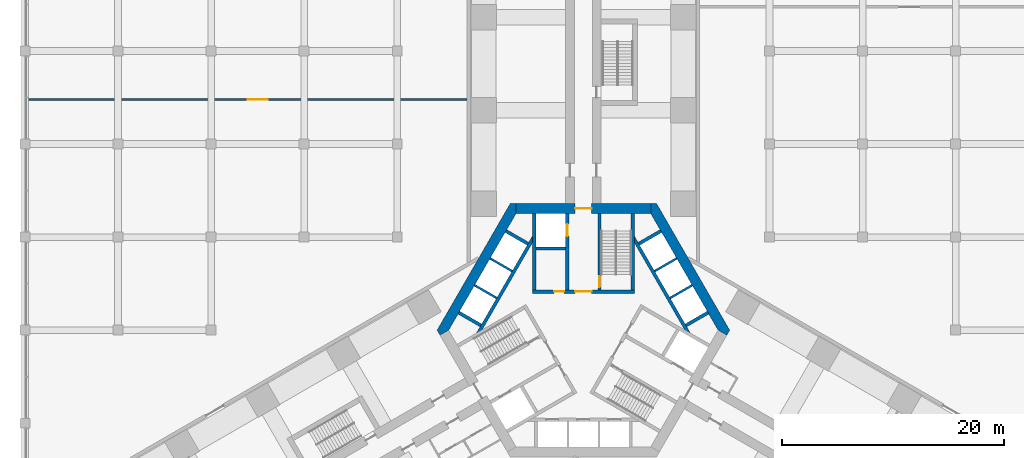
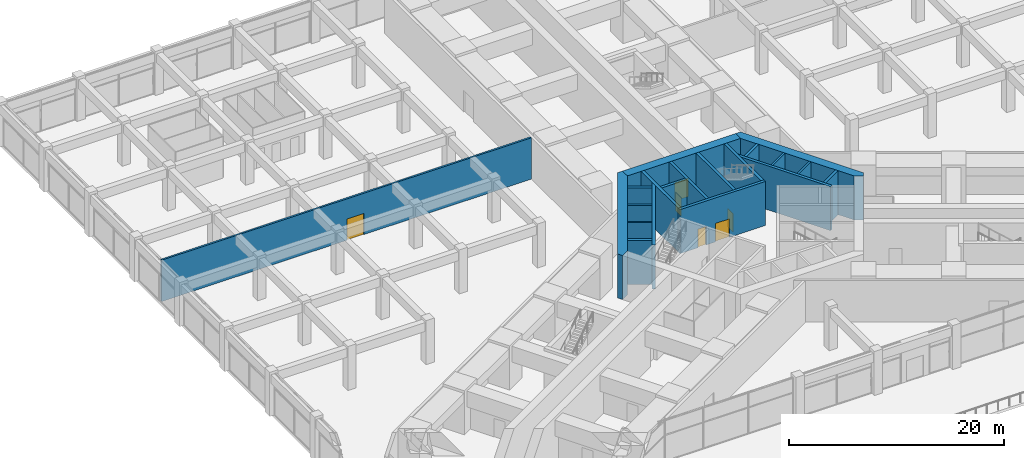
# One storey, part 28 of 34: 20 walls, 6 doors, 6 openings.
"""IFC4 building model written with IfcOpenShell, lengths in metres."""

from ifc_helpers import new_model, si_unit, direction, frame, frame_2d, origin, place, context, subcontext, project, spatial, polyline, rectangle, outline, extrude, material, layer, layer_set, type_object, element, fill, save


model = new_model("IFC4")

# Units and contexts
model_context = context("Model", 3, precision=1e-05, world=origin(), true_north=direction((0.0, 1.0)))
body_context = subcontext(model_context, "Body", "Model", "MODEL_VIEW")
ifc_project = project(units=[si_unit("LENGTHUNIT", "METRE"), si_unit("AREAUNIT", "SQUARE_METRE"), si_unit("VOLUMEUNIT", "CUBIC_METRE"), si_unit("PLANEANGLEUNIT", "RADIAN"), si_unit("MASSUNIT", "GRAM", prefix="KILO")], contexts=[model_context])

# Site, building, storey
site_placement = place(None, origin())
site = spatial("IfcSite", under=ifc_project, at=site_placement, CompositionType="ELEMENT")
building_placement = place(site_placement, origin())
building = spatial("IfcBuilding", under=site, at=building_placement, Name="Impinga Residences", CompositionType="ELEMENT")
storey_placement = place(building_placement, frame((0.0, 0.0, 11.0)))
storey = spatial("IfcBuildingStorey", under=building, at=storey_placement, Name="L02", CompositionType="ELEMENT", Elevation=11.0)

# Wall, opening, door
ifc_material_1 = material(Name="Concrete blockwork", Category="masonry")
ifc_layer_1 = layer(ifc_material_1, 0.199951171875)
ifc_layer_set_1 = layer_set([ifc_layer_1], Name="PW2 podium compartment wall 200")
wall_type_1 = type_object("IfcWallType", Name="PW2 podium compartment wall 200", PredefinedType="SOLIDWALL", material=ifc_layer_set_1)
wall_1_placement = place(storey_placement, frame((-50.237060546875, 20.81689453125, 0.0), z_axis=(0.0, 0.0, 1.0), x_axis=(1.0, 0.0, 0.0)))
wall_1 = element("IfcWall", 1, at=wall_1_placement, inside=storey, type_object=wall_type_1, Name="Podium compartment wall L02:REG:NW:SPLIT", PredefinedType="SOLIDWALL", context=body_context, shape_type="SweptSolid", body=[
    extrude(rectangle(XDim=39.737060546875, YDim=0.199951171875, at=frame_2d((19.86865234375, 0.0))), origin(), (0.0, 0.0, 1.0), 4.699951171875),
])
opening_1_placement = place(wall_1_placement, frame((19.93701171875, 0.0, 0.0)))
opening_1 = element("IfcOpeningElement", 2, at=opening_1_placement, cuts=wall_1, Name="Opening D7", PredefinedType="OPENING", context=body_context, shape_type="SweptSolid", body=[
    extrude(rectangle(XDim=1.800048828125, YDim=2.39990234375, at=frame_2d((0.89990234375, 1.199951171875))), frame((0.0, 0.10986328125, 0.0), z_axis=(0.0, -1.0, 0.0), x_axis=(1.0, 0.0, 0.0)), (0.0, 0.0, 1.0), 0.219970703125),
])
ifc_material_2 = material(Name="Timber door set", Category="wood")
door_type_1 = type_object("IfcDoorType", Name="D7 podium door pair 1800x2400", OperationType="DOUBLE_DOOR_DOUBLE_SWING", PredefinedType="DOOR", material=ifc_material_2)
door_1_placement = place(opening_1_placement, origin())
door_1 = element("IfcDoor", 3, at=door_1_placement, inside=storey, type_object=door_type_1, Name="Double door Games room", OperationType="DOUBLE_DOOR_DOUBLE_SWING", OverallHeight=2.39990234375, OverallWidth=1.800048828125, PredefinedType="DOOR", context=body_context, shape_type="SweptSolid", body=[
    extrude(rectangle(XDim=1.800048828125, YDim=2.39990234375, at=frame_2d((0.89990234375, 1.199951171875))), frame((0.0, 0.02490234375, 0.0), z_axis=(0.0, -1.0, 0.0), x_axis=(1.0, 0.0, 0.0)), (0.0, 0.0, 1.0), 0.050048828125),
])
fill(opening_1, door_1)

ifc_material_3 = material(Name="Concrete C70/85", Category="concrete")
ifc_layer_2 = layer(ifc_material_3, 0.89990234375)
ifc_layer_set_2 = layer_set([ifc_layer_2], Name="Concrete C70/85")
wall_type_2 = type_object("IfcWallType", Name="SW1 core wall 900", PredefinedType="SHEAR", material=ifc_layer_set_2)
wall_2_placement = place(storey_placement, frame((-6.080322265625, 10.9814453125, 0.0), z_axis=(0.0, 0.0, 1.0), x_axis=(1.0, 0.0, 0.0)))
wall_2 = element("IfcWall", 4, at=wall_2_placement, inside=storey, type_object=wall_type_2, Name="Core wall SW1 N:FACE L02", PredefinedType="SHEAR", context=body_context, shape_type="SweptSolid", body=[
    extrude(rectangle(XDim=12.16064453125, YDim=0.89990234375, at=frame_2d((6.080322265625, 0.0))), origin(), (0.0, 0.0, 1.0), 5.0),
])
opening_2_placement = place(wall_2_placement, frame((5.330322265625, 0.0, 0.0)))
opening_2 = element("IfcOpeningElement", 5, at=opening_2_placement, cuts=wall_2, Name="Opening D4", PredefinedType="OPENING", context=body_context, shape_type="SweptSolid", body=[
    extrude(rectangle(XDim=1.5, YDim=2.10009765625, at=frame_2d((0.75, 1.050048828125))), frame((0.0, 0.4599609375, 0.0), z_axis=(0.0, -1.0, 0.0), x_axis=(1.0, 0.0, 0.0)), (0.0, 0.0, 1.0), 0.919921875),
])
door_type_2 = type_object("IfcDoorType", Name="D4 lobby door pair 1500x2100", OperationType="DOUBLE_DOOR_DOUBLE_SWING", PredefinedType="DOOR", material=ifc_material_2)
door_2_placement = place(opening_2_placement, origin())
door_2 = element("IfcDoor", 6, at=door_2_placement, inside=storey, type_object=door_type_2, Name="Lobby door N", OperationType="DOUBLE_DOOR_DOUBLE_SWING", OverallHeight=2.10009765625, OverallWidth=1.5, PredefinedType="DOOR", context=body_context, shape_type="SweptSolid", body=[
    extrude(rectangle(XDim=1.5, YDim=2.10009765625, at=frame_2d((0.75, 1.050048828125))), frame((0.0, 0.02490234375, 0.0), z_axis=(0.0, -1.0, 0.0), x_axis=(1.0, 0.0, 0.0)), (0.0, 0.0, 1.0), 0.050048828125),
])
fill(opening_2, door_2)

# Walls
wall_3_placement = place(storey_placement, origin())
element("IfcWall", 7, at=wall_3_placement, inside=storey, type_object=wall_type_2, Name="Core wall SW1 W:EXPOSED L02", PredefinedType="SHEAR", context=body_context, shape_type="SweptSolid", body=[
    extrude(outline(polyline([(13.199951171875, 0.0), (6.60009765625, 11.431640625), (6.080322265625, 11.431640625), (6.080322265625, 10.531494140625), (12.160888671875, 0.0), (12.940185546875, -0.449951171875), (13.199951171875, 0.0)])), origin(), (0.0, 0.0, 1.0), 5.0),
])
wall_4_placement = place(storey_placement, origin())
element("IfcWall", 8, at=wall_4_placement, inside=storey, type_object=wall_type_2, Name="Core wall SW1 E:EXPOSED L02", PredefinedType="SHEAR", context=body_context, shape_type="SweptSolid", body=[
    extrude(outline(polyline([(-6.60009765625, 11.431640625), (-13.199951171875, 0.0), (-12.940185546875, -0.449951171875), (-12.160888671875, 0.0), (-6.080322265625, 10.531494140625), (-6.080322265625, 11.431640625), (-6.60009765625, 11.431640625)])), origin(), (0.0, 0.0, 1.0), 5.0),
])

# Wall, openings, doors
ifc_layer_3 = layer(ifc_material_3, 0.300048828125)
ifc_layer_set_3 = layer_set([ifc_layer_3], Name="Concrete C70/85")
wall_type_3 = type_object("IfcWallType", Name="SW5 core inner wall, stairs, shafts and lobbies 300", PredefinedType="SHEAR", material=ifc_layer_set_3)
wall_5_placement = place(storey_placement, frame((-4.60009765625, 3.47998046875, 0.0), z_axis=(0.0, 0.0, 1.0), x_axis=(1.0, 0.0, 0.0)))
wall_5 = element("IfcWall", 9, at=wall_5_placement, inside=storey, type_object=wall_type_3, Name="Core wall SW5 N:ZONE L02", PredefinedType="SHEAR", context=body_context, shape_type="SweptSolid", body=[
    extrude(rectangle(XDim=9.2001953125, YDim=0.300048828125, at=frame_2d((4.60009765625, 0.0))), origin(), (0.0, 0.0, 1.0), 5.0),
])
opening_3_placement = place(wall_5_placement, frame((3.85009765625, 0.0, 0.0)))
opening_3 = element("IfcOpeningElement", 10, at=opening_3_placement, cuts=wall_5, Name="Opening D4", PredefinedType="OPENING", context=body_context, shape_type="SweptSolid", body=[
    extrude(rectangle(XDim=1.5, YDim=2.10009765625, at=frame_2d((0.75, 1.050048828125))), frame((0.0, 0.159912109375, 0.0), z_axis=(0.0, -1.0, 0.0), x_axis=(1.0, 0.0, 0.0)), (0.0, 0.0, 1.0), 0.320068359375),
])
opening_4_placement = place(wall_5_placement, frame((1.949951171875, 0.0, 0.0)))
opening_4 = element("IfcOpeningElement", 11, at=opening_4_placement, cuts=wall_5, Name="Opening D6", PredefinedType="OPENING", context=body_context, shape_type="SweptSolid", body=[
    extrude(rectangle(XDim=0.89990234375, YDim=2.10009765625, at=frame_2d((0.449951171875, 1.050048828125))), frame((0.0, 0.159912109375, 0.0), z_axis=(0.0, -1.0, 0.0), x_axis=(1.0, 0.0, 0.0)), (0.0, 0.0, 1.0), 0.320068359375),
])
door_3_placement = place(opening_3_placement, origin())
door_3 = element("IfcDoor", 12, at=door_3_placement, inside=storey, type_object=door_type_2, Name="Firefighting lobby door N", OperationType="DOUBLE_DOOR_DOUBLE_SWING", OverallHeight=2.10009765625, OverallWidth=1.5, PredefinedType="DOOR", context=body_context, shape_type="SweptSolid", body=[
    extrude(rectangle(XDim=1.5, YDim=2.10009765625, at=frame_2d((0.75, 1.050048828125))), frame((0.0, 0.02490234375, 0.0), z_axis=(0.0, -1.0, 0.0), x_axis=(1.0, 0.0, 0.0)), (0.0, 0.0, 1.0), 0.050048828125),
])
fill(opening_3, door_3)
door_type_3 = type_object("IfcDoorType", Name="D6 riser and store door 900x2100", OperationType="SINGLE_SWING_LEFT", PredefinedType="DOOR", material=ifc_material_2)
door_4_placement = place(opening_4_placement, origin())
door_4 = element("IfcDoor", 13, at=door_4_placement, inside=storey, type_object=door_type_3, Name="Riser door N", OperationType="SINGLE_SWING_LEFT", OverallHeight=2.10009765625, OverallWidth=0.89990234375, PredefinedType="DOOR", context=body_context, shape_type="SweptSolid", body=[
    extrude(rectangle(XDim=0.89990234375, YDim=2.10009765625, at=frame_2d((0.449951171875, 1.050048828125))), frame((0.0, 0.02490234375, 0.0), z_axis=(0.0, -1.0, 0.0), x_axis=(1.0, 0.0, 0.0)), (0.0, 0.0, 1.0), 0.050048828125),
])
fill(opening_4, door_4)

# Wall, opening, door
wall_6_placement = place(storey_placement, frame((1.449951171875, 3.6298828125, 0.0), z_axis=(0.0, 0.0, 1.0), x_axis=(0.0, 1.0, 0.0)))
wall_6 = element("IfcWall", 14, at=wall_6_placement, inside=storey, type_object=wall_type_3, Name="Core wall SW5 N:ST-IN L02", PredefinedType="SHEAR", context=body_context, shape_type="SweptSolid", body=[
    extrude(rectangle(XDim=6.901611328125, YDim=0.300048828125, at=frame_2d((3.45068359375, 0.0))), origin(), (0.0, 0.0, 1.0), 5.0),
])
opening_5_placement = place(wall_6_placement, frame((0.25, 0.0, 0.0)))
opening_5 = element("IfcOpeningElement", 15, at=opening_5_placement, cuts=wall_6, Name="Opening D5", PredefinedType="OPENING", context=body_context, shape_type="SweptSolid", body=[
    extrude(rectangle(XDim=1.0, YDim=2.10009765625, at=frame_2d((0.5, 1.050048828125))), frame((0.0, 0.159912109375, 0.0), z_axis=(0.0, -1.0, 0.0), x_axis=(1.0, 0.0, 0.0)), (0.0, 0.0, 1.0), 0.320068359375),
])
door_type_4 = type_object("IfcDoorType", Name="D5 stair door 1000x2100", OperationType="SINGLE_SWING_LEFT", PredefinedType="DOOR", material=ifc_material_2)
door_5_placement = place(opening_5_placement, origin())
door_5 = element("IfcDoor", 16, at=door_5_placement, inside=storey, type_object=door_type_4, Name="Stair door N", OperationType="SINGLE_SWING_LEFT", OverallHeight=2.10009765625, OverallWidth=1.0, PredefinedType="DOOR", context=body_context, shape_type="SweptSolid", body=[
    extrude(rectangle(XDim=1.0, YDim=2.10009765625, at=frame_2d((0.5, 1.050048828125))), frame((0.0, 0.02490234375, 0.0), z_axis=(0.0, -1.0, 0.0), x_axis=(1.0, 0.0, 0.0)), (0.0, 0.0, 1.0), 0.050048828125),
])
fill(opening_5, door_5)

# Wall
wall_7_placement = place(storey_placement, frame((4.449951171875, 3.6298828125, 0.0), z_axis=(0.0, 0.0, 1.0), x_axis=(0.0, 1.0, 0.0)))
element("IfcWall", 17, at=wall_7_placement, inside=storey, type_object=wall_type_3, Name="Core wall SW5 N:ST-OUT L02", PredefinedType="SHEAR", context=body_context, shape_type="SweptSolid", body=[
    extrude(rectangle(XDim=6.901611328125, YDim=0.300048828125, at=frame_2d((3.45068359375, 0.0))), origin(), (0.0, 0.0, 1.0), 5.0),
])

# Wall, opening, door
wall_8_placement = place(storey_placement, frame((-1.449951171875, 3.6298828125, 0.0), z_axis=(0.0, 0.0, 1.0), x_axis=(0.0, 1.0, 0.0)))
wall_8 = element("IfcWall", 18, at=wall_8_placement, inside=storey, type_object=wall_type_3, Name="Core wall SW5 N:FF-IN L02", PredefinedType="SHEAR", context=body_context, shape_type="SweptSolid", body=[
    extrude(rectangle(XDim=6.901611328125, YDim=0.300048828125, at=frame_2d((3.45068359375, 0.0))), origin(), (0.0, 0.0, 1.0), 5.0),
])
opening_6_placement = place(wall_8_placement, frame((4.85009765625, 0.0, 0.0)))
opening_6 = element("IfcOpeningElement", 19, at=opening_6_placement, cuts=wall_8, Name="Opening LD2", PredefinedType="OPENING", context=body_context, shape_type="SweptSolid", body=[
    extrude(rectangle(XDim=1.10009765625, YDim=2.10009765625, at=frame_2d((0.550048828125, 1.050048828125))), frame((0.0, 0.159912109375, 0.0), z_axis=(0.0, -1.0, 0.0), x_axis=(1.0, 0.0, 0.0)), (0.0, 0.0, 1.0), 0.320068359375),
])
ifc_material_4 = material(Name="Steel lift landing door", Category="steel")
door_type_5 = type_object("IfcDoorType", Name="LD2 firefighting lift landing door 1100x2100", OperationType="DOUBLE_DOOR_SLIDING", PredefinedType="DOOR", material=ifc_material_4)
door_6_placement = place(opening_6_placement, origin())
door_6 = element("IfcDoor", 20, at=door_6_placement, inside=storey, type_object=door_type_5, Name="Firefighting lift landing door F1", OperationType="DOUBLE_DOOR_SLIDING", OverallHeight=2.10009765625, OverallWidth=1.10009765625, PredefinedType="DOOR", context=body_context, shape_type="SweptSolid", body=[
    extrude(rectangle(XDim=1.10009765625, YDim=2.10009765625, at=frame_2d((0.550048828125, 1.050048828125))), frame((0.0, 0.02490234375, 0.0), z_axis=(0.0, -1.0, 0.0), x_axis=(1.0, 0.0, 0.0)), (0.0, 0.0, 1.0), 0.050048828125),
])
fill(opening_6, door_6)

# Walls
wall_9_placement = place(storey_placement, frame((-4.449951171875, 3.6298828125, 0.0), z_axis=(0.0, 0.0, 1.0), x_axis=(0.0, 1.0, 0.0)))
element("IfcWall", 21, at=wall_9_placement, inside=storey, type_object=wall_type_3, Name="Core wall SW5 N:FF-OUT L02", PredefinedType="SHEAR", context=body_context, shape_type="SweptSolid", body=[
    extrude(rectangle(XDim=6.901611328125, YDim=0.300048828125, at=frame_2d((3.45068359375, 0.0))), origin(), (0.0, 0.0, 1.0), 5.0),
])
wall_10_placement = place(storey_placement, frame((-4.300048828125, 7.3798828125, 0.0), z_axis=(0.0, 0.0, 1.0), x_axis=(1.0, 0.0, 0.0)))
element("IfcWall", 22, at=wall_10_placement, inside=storey, type_object=wall_type_3, Name="Core wall SW5 N:FF-RS L02", PredefinedType="SHEAR", context=body_context, shape_type="SweptSolid", body=[
    extrude(rectangle(XDim=2.699951171875, YDim=0.300048828125, at=frame_2d((1.35009765625, 0.0))), origin(), (0.0, 0.0, 1.0), 5.0),
])
wall_11_placement = place(storey_placement, frame((4.449951171875, 8.455322265625, 0.0), z_axis=(0.0, 0.0, 1.0), x_axis=(0.500002290144, -0.866024081565, 0.0)))
element("IfcWall", 23, at=wall_11_placement, inside=storey, type_object=wall_type_3, Name="Core wall SW5 W:BANK-FRONT L02", PredefinedType="SHEAR", context=body_context, shape_type="SweptSolid", body=[
    extrude(rectangle(XDim=10.1953125, YDim=0.300048828125, at=frame_2d((5.09765625, 0.0))), origin(), (0.0, 0.0, 1.0), 5.0),
])
for number, where, z_axis, x_axis, name in (
    (24, (5.003662109375, 7.79638671875, 0.0), (0.0, 0.0, 1.0), (0.866053019151, 0.499952165731, 0.0), "Core wall SW5 W:BANK-L L02"),
    (25, (9.253662109375, 0.43505859375, 0.0), (0.0, 0.0, 1.0), (0.866007057882, 0.500031774688, 0.0), "Core wall SW5 W:BANK-R L02"),
):
    element("IfcWall", number, at=place(storey_placement, frame(where, z_axis=z_axis, x_axis=x_axis)), inside=storey, type_object=wall_type_3, Name=name, PredefinedType="SHEAR", context=body_context, shape_type="SweptSolid", body=[
        extrude(rectangle(XDim=2.300048828125, YDim=0.300048828125, at=frame_2d((1.14990234375, 0.0))), origin(), (0.0, 0.0, 1.0), 5.0),
    ])
wall_12_placement = place(storey_placement, frame((-9.547607421875, -0.3740234375, 0.0), z_axis=(0.0, 0.0, 1.0), x_axis=(0.500002290144, 0.866024081565, 0.0)))
element("IfcWall", 26, at=wall_12_placement, inside=storey, type_object=wall_type_3, Name="Core wall SW5 E:BANK-FRONT L02", PredefinedType="SHEAR", context=body_context, shape_type="SweptSolid", body=[
    extrude(rectangle(XDim=10.1953125, YDim=0.300048828125, at=frame_2d((5.09765625, 0.0))), origin(), (0.0, 0.0, 1.0), 5.0),
])
for number, where, z_axis, x_axis, name in (
    (27, (-9.253662109375, 0.43505859375, 0.0), (0.0, 0.0, 1.0), (-0.866007057882, 0.500031774688, 0.0), "Core wall SW5 E:BANK-L L02"),
    (28, (-5.003662109375, 7.79638671875, 0.0), (0.0, 0.0, 1.0), (-0.866053019151, 0.499952165731, 0.0), "Core wall SW5 E:BANK-R L02"),
):
    element("IfcWall", number, at=place(storey_placement, frame(where, z_axis=z_axis, x_axis=x_axis)), inside=storey, type_object=wall_type_3, Name=name, PredefinedType="SHEAR", context=body_context, shape_type="SweptSolid", body=[
        extrude(rectangle(XDim=2.300048828125, YDim=0.300048828125, at=frame_2d((1.14990234375, 0.0))), origin(), (0.0, 0.0, 1.0), 5.0),
    ])
ifc_layer_4 = layer(ifc_material_3, 0.199951171875)
ifc_layer_set_4 = layer_set([ifc_layer_4], Name="Concrete C70/85")
wall_type_4 = type_object("IfcWallType", Name="SW6 lift shaft divider wall 200", PredefinedType="SHEAR", material=ifc_layer_set_4)
for number, where, z_axis, x_axis, name in (
    (29, (6.4287109375, 5.328125, 0.0), (0.0, 0.0, 1.0), (0.866007057882, 0.500031774688, 0.0), "Core wall SW6 W:BANK-D1 L02"),
    (30, (7.82861328125, 2.9033203125, 0.0), (0.0, 0.0, 1.0), (0.866053019151, 0.499952165731, 0.0), "Core wall SW6 W:BANK-D2 L02"),
    (31, (-7.82861328125, 2.9033203125, 0.0), (0.0, 0.0, 1.0), (-0.866053019151, 0.499952165731, 0.0), "Core wall SW6 E:BANK-D1 L02"),
    (32, (-6.4287109375, 5.328125, 0.0), (0.0, 0.0, 1.0), (-0.866007057882, 0.500031774688, 0.0), "Core wall SW6 E:BANK-D2 L02"),
):
    element("IfcWall", number, at=place(storey_placement, frame(where, z_axis=z_axis, x_axis=x_axis)), inside=storey, type_object=wall_type_4, Name=name, PredefinedType="SHEAR", context=body_context, shape_type="SweptSolid", body=[
        extrude(rectangle(XDim=2.300048828125, YDim=0.199951171875, at=frame_2d((1.14990234375, 0.0))), origin(), (0.0, 0.0, 1.0), 5.0),
    ])

save(model, "model.ifc")
